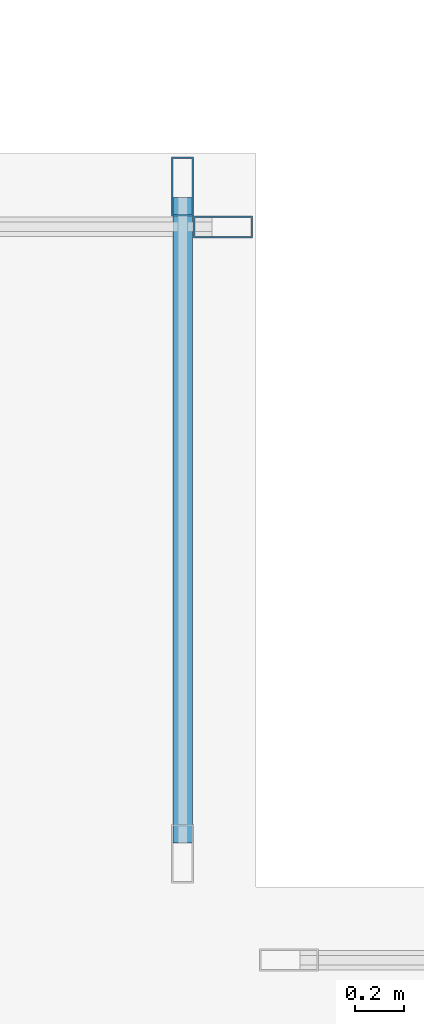
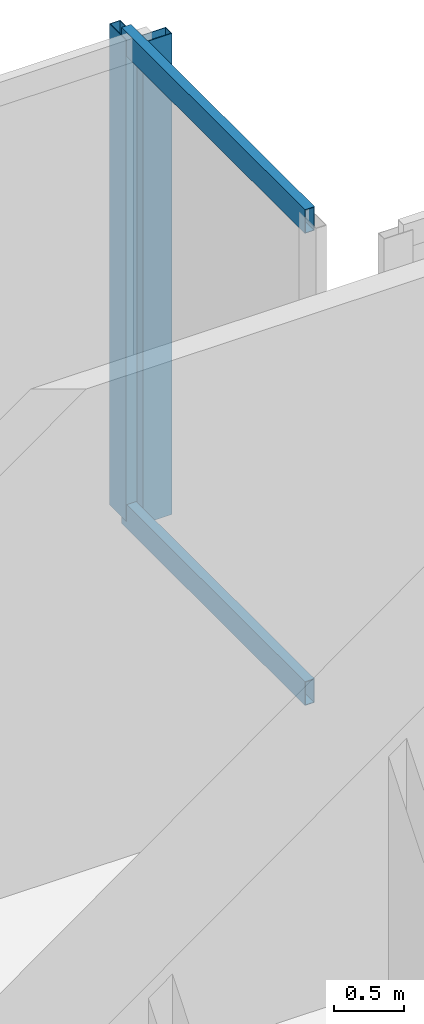
# One storey, part 10 of 16: 4 members, 2 elements without a shape of their own.
"""IFC4 building model written with IfcOpenShell, lengths in metres."""

from ifc_helpers import new_model, si_unit, direction, frame, origin, origin_2d, place, context, subcontext, project, spatial, hollow_rectangle, extrude, material, layer, layer_set, material_profile, profile_set, type_object, element, aggregate, save


model = new_model("IFC4")

# Units and contexts
model_context = context("Model", 3, precision=1e-05, world=origin(), true_north=direction((0.0, 1.0)))
body_context = subcontext(model_context, "Body", "Model", "MODEL_VIEW")
ifc_project = project(units=[si_unit("LENGTHUNIT", "METRE"), si_unit("AREAUNIT", "SQUARE_METRE"), si_unit("VOLUMEUNIT", "CUBIC_METRE"), si_unit("PLANEANGLEUNIT", "RADIAN"), si_unit("MASSUNIT", "GRAM", prefix="KILO"), si_unit("THERMODYNAMICTEMPERATUREUNIT", "KELVIN"), si_unit("POWERUNIT", "WATT")], contexts=[model_context])

# Site, building, storey
site_placement = place(None, origin())
site = spatial("IfcSite", under=ifc_project, at=site_placement, CompositionType="ELEMENT")
building_placement = place(site_placement, origin())
building = spatial("IfcBuilding", under=site, at=building_placement, Name="Svarakhadi Broadcast Tower", CompositionType="ELEMENT")
storey_placement = place(building_placement, frame((0.0, 0.0, 296.39990234375)))
storey = spatial("IfcBuildingStorey", under=building, at=storey_placement, Name="L75", CompositionType="ELEMENT", Elevation=296.39990234375)

# Curtain wall, member
ifc_material = material(Name="Anodised Bronze Aluminium AA 6063-T6", Category="aluminium")
ifc_layer = layer(ifc_material, 0.239990234375)
ifc_layer_set = layer_set([ifc_layer], Name="Anodised Bronze Aluminium AA 6063-T6")
curtain_wall_type = type_object("IfcCurtainWallType", Name="CW_Sys_06", PredefinedType="NOTDEFINED", material=ifc_layer_set)
curtain_wall_1_placement = place(storey_placement, origin())
curtain_wall_1 = element("IfcCurtainWall", 1, at=curtain_wall_1_placement, inside=storey, type_object=curtain_wall_type, Name="L75 Unitised Facade Curtain Wall 10", PredefinedType="NOTDEFINED")
ifc_material_profile_1 = material_profile(ifc_material, hollow_rectangle(XDim=0.090087890625, YDim=0.239990234375, WallThickness=0.006103515625, at=origin_2d()), Name="ALU MULLION 240x90x6")
ifc_profile_set_1 = profile_set([ifc_material_profile_1], Name="Anodised Bronze Aluminium AA 6063-T6")
member_type_1 = type_object("IfcMemberType", Name="CW_Sys_06_Mul", PredefinedType="MULLION", material=ifc_profile_set_1)
member_1_placement = place(storey_placement, frame((32.864990234375, 23.699951171875, 0.0), z_axis=(0.0, 0.0, 1.0), x_axis=(0.0, 1.0, 0.0)))
member_1 = element("IfcMember", 2, at=member_1_placement, type_object=member_type_1, Name="CW-06 mullion 2", PredefinedType="MULLION", context=body_context, shape_type="SweptSolid", body=[
    extrude(hollow_rectangle(XDim=0.090087890625, YDim=0.239990234375, WallThickness=0.006103515625, at=origin_2d()), origin(), (0.0, 0.0, 1.0), 4.22509765625),
])
aggregate(curtain_wall_1, [member_1])

# Curtain wall, members
curtain_wall_2_placement = place(storey_placement, origin())
curtain_wall_2 = element("IfcCurtainWall", 3, at=curtain_wall_2_placement, inside=storey, type_object=curtain_wall_type, Name="L75 Unitised Facade Curtain Wall 11", PredefinedType="NOTDEFINED")
member_2_placement = place(storey_placement, frame((32.699951171875, 23.864990234375, 0.0), z_axis=(0.0, 0.0, 1.0), x_axis=(1.0, 0.0, 0.0)))
member_2 = element("IfcMember", 4, at=member_2_placement, type_object=member_type_1, Name="CW-06 mullion 1", PredefinedType="MULLION", context=body_context, shape_type="SweptSolid", body=[
    extrude(hollow_rectangle(XDim=0.090087890625, YDim=0.239990234375, WallThickness=0.006103515625, at=origin_2d()), origin(), (0.0, 0.0, 1.0), 4.22509765625),
])
ifc_material_profile_2 = material_profile(ifc_material, hollow_rectangle(XDim=0.080078125, YDim=0.2099609375, WallThickness=0.0048828125, at=origin_2d()), Name="ALU TRANSOM 210x80x5")
ifc_profile_set_2 = profile_set([ifc_material_profile_2], Name="Anodised Bronze Aluminium AA 6063-T6")
member_type_2 = type_object("IfcMemberType", Name="CW_Sys_06_Trn", PredefinedType="USERDEFINED", material=ifc_profile_set_2)
member_3_placement = place(storey_placement, frame((32.699951171875, 23.820068359375, 0.0400390625), z_axis=(0.0, -1.0, 0.0), x_axis=(1.0, 0.0, 0.0)))
member_3 = element("IfcMember", 5, at=member_3_placement, type_object=member_type_2, Name="CW-06 transom 1.1", ObjectType="TRANSOM", PredefinedType="USERDEFINED", context=body_context, shape_type="SweptSolid", body=[
    extrude(hollow_rectangle(XDim=0.080078125, YDim=0.2099609375, WallThickness=0.0048828125, at=origin_2d()), origin(), (0.0, 0.0, 1.0), 2.64013671875),
])
member_4_placement = place(storey_placement, frame((32.699951171875, 23.820068359375, 4.18505859375), z_axis=(0.0, -1.0, 0.0), x_axis=(1.0, 0.0, 0.0)))
member_4 = element("IfcMember", 6, at=member_4_placement, type_object=member_type_2, Name="CW-06 transom 1.2", ObjectType="TRANSOM", PredefinedType="USERDEFINED", context=body_context, shape_type="SweptSolid", body=[
    extrude(hollow_rectangle(XDim=0.080078125, YDim=0.2099609375, WallThickness=0.0048828125, at=origin_2d()), origin(), (0.0, 0.0, 1.0), 2.64013671875),
])
aggregate(curtain_wall_2, [member_2, member_3, member_4])

save(model, "model.ifc")
